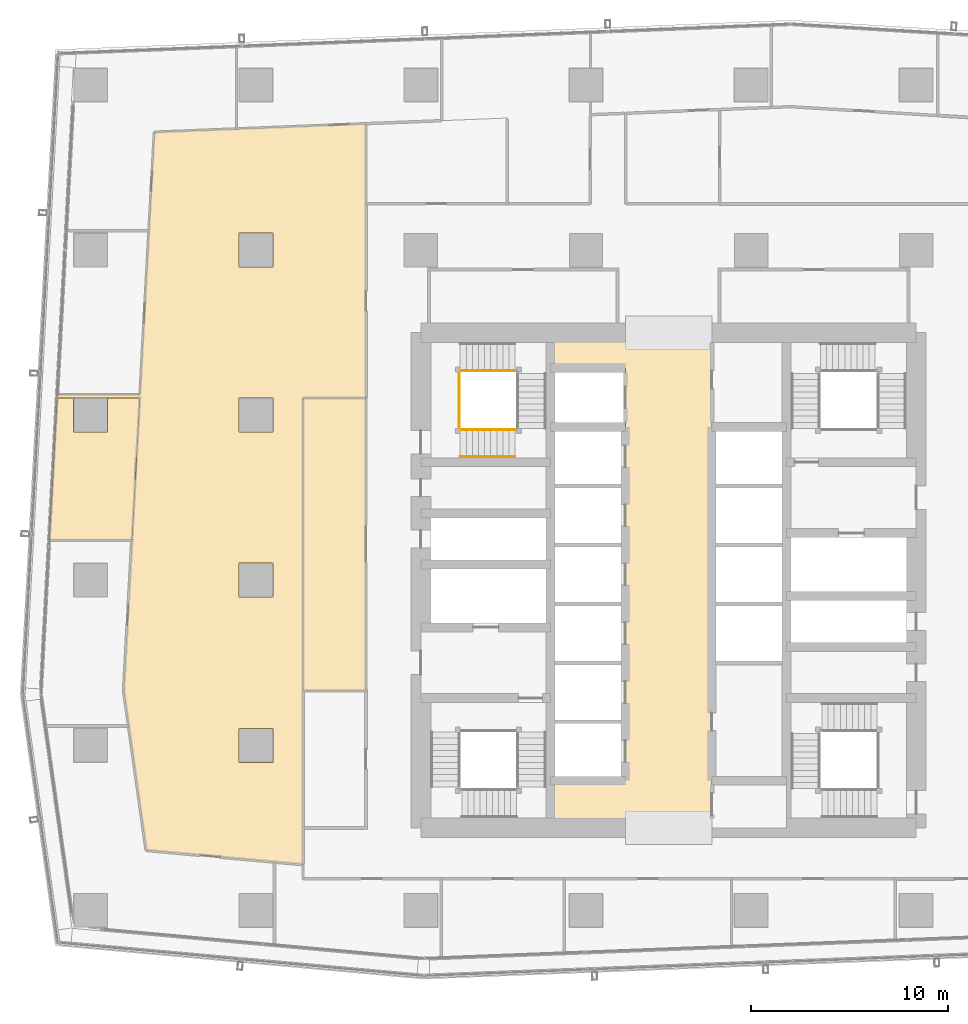
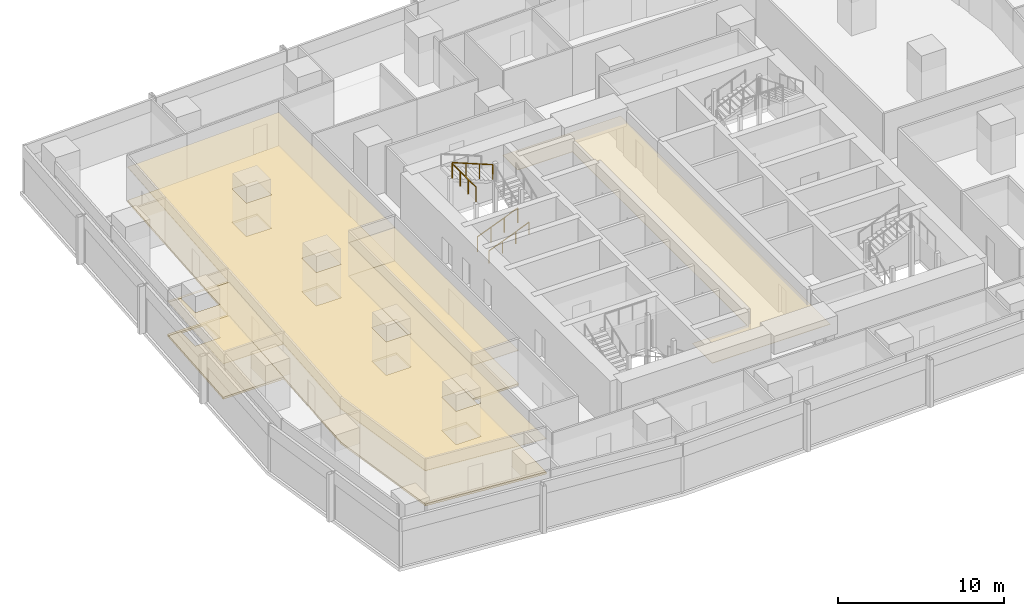
# One storey, part 35 of 40: 7 coverings, 4 railings.
"""IFC4 building model written with IfcOpenShell, lengths in metres."""

from ifc_helpers import new_model, si_unit, direction, frame, origin, origin_2d, place, context, subcontext, project, spatial, polyline, circle, outline, extrude, material, layer, layer_set, type_object, element, save


model = new_model("IFC4")

# Units and contexts
model_context = context("Model", 3, precision=1e-05, world=origin(), true_north=direction((0.0, 1.0)))
body_context = subcontext(model_context, "Body", "Model", "MODEL_VIEW")
ifc_project = project(units=[si_unit("LENGTHUNIT", "METRE"), si_unit("AREAUNIT", "SQUARE_METRE"), si_unit("VOLUMEUNIT", "CUBIC_METRE"), si_unit("PLANEANGLEUNIT", "RADIAN"), si_unit("MASSUNIT", "GRAM", prefix="KILO")], contexts=[model_context])

# Site, building, storey
site_placement = place(None, origin())
site = spatial("IfcSite", under=ifc_project, at=site_placement, CompositionType="ELEMENT")
building_placement = place(site_placement, origin())
building = spatial("IfcBuilding", under=site, at=building_placement, Name="Rekha Terrace Tower", CompositionType="ELEMENT")
storey_placement = place(building_placement, frame((0.0, 0.0, 125.300048828125)))
storey = spatial("IfcBuildingStorey", under=building, at=storey_placement, Name="L31", CompositionType="ELEMENT", Elevation=125.300048828125)

# Coverings
ifc_material_1 = material(Name="Mineral fibre tile in exposed grid", Category="finish")
ifc_layer_1 = layer(ifc_material_1, 0.02001953125)
ifc_layer_set_1 = layer_set([ifc_layer_1], Name="Mineral fibre tile in exposed grid")
covering_type_1 = type_object("IfcCoveringType", Name="CL1 600x1200 office grid ceiling", PredefinedType="CEILING", material=ifc_layer_set_1)
covering_1_placement = place(storey_placement, frame((0.0, 0.0, 2.579833984375)))
element("IfcCovering", 1, at=covering_1_placement, inside=storey, type_object=covering_type_1, Name="Ceiling L31-O1c", PredefinedType="CEILING", context=body_context, shape_type="SweptSolid", body=[
    extrude(outline(polyline([(10.080078125, 27.992919921875), (10.3359375, 26.177001953125), (11.22607421875, 19.862060546875), (17.7529296875, 19.26904296875), (19.199951171875, 19.137939453125), (19.199951171875, 42.873046875), (22.39990234375, 42.873046875), (22.39990234375, 56.830078125), (15.799072265625, 56.56494140625), (11.637939453125, 56.39794921875), (11.362060546875, 51.3779296875), (10.905029296875, 43.0458984375), (6.698974609375, 43.0458984375), (6.68994140625, 42.873046875), (10.89599609375, 42.873046875), (10.4990234375, 35.634033203125), (10.080078125, 27.992919921875)]), holes=[polyline([(17.6650390625, 26.06494140625), (17.6650390625, 24.3349609375), (15.93505859375, 24.3349609375), (15.93505859375, 26.06494140625), (17.6650390625, 26.06494140625)]), polyline([(17.6650390625, 34.465087890625), (17.6650390625, 32.735107421875), (15.93505859375, 32.735107421875), (15.93505859375, 34.465087890625), (17.6650390625, 34.465087890625)]), polyline([(17.6650390625, 41.135009765625), (15.93505859375, 41.135009765625), (15.93505859375, 42.864990234375), (17.6650390625, 42.864990234375), (17.6650390625, 41.135009765625)]), polyline([(17.6650390625, 49.534912109375), (15.93505859375, 49.534912109375), (15.93505859375, 51.264892578125), (17.6650390625, 51.264892578125), (17.6650390625, 49.534912109375)])]), origin(), (0.0, 0.0, 1.0), 0.02001953125),
])
covering_2_placement = place(storey_placement, frame((0.0, 0.0, 2.579833984375)))
element("IfcCovering", 2, at=covering_2_placement, inside=storey, type_object=covering_type_1, Name="Ceiling L31-19", PredefinedType="CEILING", context=body_context, shape_type="SweptSolid", body=[
    extrude(outline(polyline([(9.264892578125, 41.135009765625), (7.534912109375, 41.135009765625), (7.534912109375, 42.8720703125), (6.68994140625, 42.8720703125), (6.29296875, 35.635009765625), (10.4990234375, 35.635009765625), (10.89599609375, 42.8720703125), (9.264892578125, 42.8720703125), (9.264892578125, 41.135009765625)])), origin(), (0.0, 0.0, 1.0), 0.02001953125),
])
covering_3_placement = place(storey_placement, frame((0.0, 0.0, 2.579833984375)))
element("IfcCovering", 3, at=covering_3_placement, inside=storey, type_object=covering_type_1, Name="Ceiling L31-25", PredefinedType="CEILING", context=body_context, shape_type="SweptSolid", body=[
    extrude(outline(polyline([(19.199951171875, 42.8720703125), (19.199951171875, 28.0), (22.39990234375, 28.0), (22.39990234375, 42.8720703125), (19.199951171875, 42.8720703125)])), origin(), (0.0, 0.0, 1.0), 0.02001953125),
])
ifc_material_2 = material(Name="Powder-coated aluminium pan", Category="aluminium")
ifc_layer_2 = layer(ifc_material_2, 0.030029296875)
ifc_layer_set_2 = layer_set([ifc_layer_2], Name="Powder-coated aluminium pan")
covering_type_2 = type_object("IfcCoveringType", Name="CL3 300x1200 metal pan ceiling", PredefinedType="CEILING", material=ifc_layer_set_2)
covering_4_placement = place(storey_placement, frame((0.0, 0.0, 2.570068359375)))
element("IfcCovering", 4, at=covering_4_placement, inside=storey, type_object=covering_type_2, Name="Ceiling L31-LOBBY", PredefinedType="CEILING", context=body_context, shape_type="SweptSolid", body=[
    extrude(outline(polyline([(35.60009765625, 44.39990234375), (35.60009765625, 23.39990234375), (31.800048828125, 23.39990234375), (31.800048828125, 21.0), (40.0, 21.0), (40.0, 46.199951171875), (31.800048828125, 46.199951171875), (31.800048828125, 44.39990234375), (35.60009765625, 44.39990234375)])), origin(), (0.0, 0.0, 1.0), 0.02978515625),
])

# Railings
ifc_material_3 = material(Name="Stainless steel balustrade", Category="steel")
railing_type_1 = type_object("IfcRailingType", Name="GR1 1100 stair guard", PredefinedType="GUARDRAIL", material=ifc_material_3)
railing_1_placement = place(storey_placement, frame((27.199951171875, 41.264892578125, 0.125)))
element("IfcRailing", 5, at=railing_1_placement, inside=storey, type_object=railing_type_1, Name="Guard ST4 L31 flight 1", PredefinedType="GUARDRAIL", context=body_context, shape_type="SweptSolid", body=[
    extrude(circle(Radius=0.02392578125, at=origin_2d()), frame((0.0, 0.0, 1.076171875), z_axis=(0.927443287984, 0.0, 0.373963831907), x_axis=(0.0, 1.0, 0.0)), (0.0, 0.0, 1.0), 3.00830078125),
    extrude(circle(Radius=0.02099609375, at=origin_2d()), origin(), (0.0, 0.0, 1.0), 1.052001953125),
    extrude(circle(Radius=0.02099609375, at=origin_2d()), frame((0.929931640625, 0.0, 0.375)), (0.0, 0.0, 1.0), 1.052001953125),
    extrude(circle(Radius=0.02099609375, at=origin_2d()), frame((1.860107421875, 0.0, 0.75)), (0.0, 0.0, 1.0), 1.052001953125),
    extrude(circle(Radius=0.02099609375, at=origin_2d()), frame((2.7900390625, 0.0, 1.125)), (0.0, 0.0, 1.0), 1.052001953125),
])
railing_2_placement = place(storey_placement, frame((29.989990234375, 44.260009765625, 2.625)))
element("IfcRailing", 6, at=railing_2_placement, inside=storey, type_object=railing_type_1, Name="Guard ST4 L31 flight 3", PredefinedType="GUARDRAIL", context=body_context, shape_type="SweptSolid", body=[
    extrude(circle(Radius=0.02392578125, at=origin_2d()), frame((0.0, 0.0, 1.076171875), z_axis=(-0.927443287984, 0.0, 0.373963831907), x_axis=(0.0, -1.0, 0.0)), (0.0, 0.0, 1.0), 3.00830078125),
    extrude(circle(Radius=0.02099609375, at=origin_2d()), origin(), (0.0, 0.0, 1.0), 1.052001953125),
    extrude(circle(Radius=0.02099609375, at=origin_2d()), frame((-0.929931640625, 0.0, 0.375)), (0.0, 0.0, 1.0), 1.052001953125),
    extrude(circle(Radius=0.02099609375, at=origin_2d()), frame((-1.860107421875, 0.0, 0.75)), (0.0, 0.0, 1.0), 1.052001953125),
    extrude(circle(Radius=0.02099609375, at=origin_2d()), frame((-2.7900390625, 0.0, 1.125)), (0.0, 0.0, 1.0), 1.052001953125),
])
railing_3_placement = place(storey_placement, frame((27.139892578125, 41.324951171875, 3.75)))
element("IfcRailing", 7, at=railing_3_placement, inside=storey, type_object=railing_type_1, Name="Guard ST4 L31 landing 4", PredefinedType="GUARDRAIL", context=body_context, shape_type="SweptSolid", body=[
    extrude(circle(Radius=0.02392578125, at=origin_2d()), frame((0.0, 0.0, 1.076171875), z_axis=(0.0, 1.0, 0.0), x_axis=(-1.0, 0.0, 0.0)), (0.0, 0.0, 1.0), 2.875),
    extrude(circle(Radius=0.02099609375, at=origin_2d()), origin(), (0.0, 0.0, 1.0), 1.052001953125),
    extrude(circle(Radius=0.02099609375, at=origin_2d()), frame((0.0, 0.958251953125, 0.0)), (0.0, 0.0, 1.0), 1.052001953125),
    extrude(circle(Radius=0.02099609375, at=origin_2d()), frame((0.0, 1.916748046875, 0.0)), (0.0, 0.0, 1.0), 1.052001953125),
    extrude(circle(Radius=0.02099609375, at=origin_2d()), frame((0.0, 2.875, 0.0)), (0.0, 0.0, 1.0), 1.052001953125),
])
ifc_material_4 = material(Name="Stainless steel tube", Category="steel")
railing_type_2 = type_object("IfcRailingType", Name="HR1 900 stair handrail", PredefinedType="HANDRAIL", material=ifc_material_4)
railing_4_placement = place(storey_placement, frame((27.199951171875, 39.885009765625, 0.125)))
element("IfcRailing", 8, at=railing_4_placement, inside=storey, type_object=railing_type_2, Name="Handrail ST4 L31 flight 1", PredefinedType="HANDRAIL", context=body_context, shape_type="SweptSolid", body=[
    extrude(circle(Radius=0.02392578125, at=origin_2d()), frame((0.0, 0.0, 0.8759765625), z_axis=(0.927443287984, 0.0, 0.373963831907), x_axis=(0.0, 1.0, 0.0)), (0.0, 0.0, 1.0), 3.00830078125),
    extrude(circle(Radius=0.02099609375, at=origin_2d()), origin(), (0.0, 0.0, 1.0), 0.851806640625),
    extrude(circle(Radius=0.02099609375, at=origin_2d()), frame((0.929931640625, 0.0, 0.375)), (0.0, 0.0, 1.0), 0.851806640625),
    extrude(circle(Radius=0.02099609375, at=origin_2d()), frame((1.860107421875, 0.0, 0.75)), (0.0, 0.0, 1.0), 0.851806640625),
    extrude(circle(Radius=0.02099609375, at=origin_2d()), frame((2.7900390625, 0.0, 1.125)), (0.0, 0.0, 1.0), 0.851806640625),
])

# Coverings
ifc_material_5 = material(Name="Calcium sulphate panels on steel pedestals", Category="steel")
ifc_layer_3 = layer(ifc_material_5, 0.14990234375)
ifc_layer_set_3 = layer_set([ifc_layer_3], Name="Calcium sulphate panels on steel pedestals")
covering_type_3 = type_object("IfcCoveringType", Name="RF1 150 raised access floor", PredefinedType="FLOORING", material=ifc_layer_set_3)
covering_5_placement = place(storey_placement, origin())
element("IfcCovering", 9, at=covering_5_placement, inside=storey, type_object=covering_type_3, Name="Raised floor L31-O1c", PredefinedType="FLOORING", context=body_context, shape_type="SweptSolid", body=[
    extrude(outline(polyline([(10.080078125, 27.992919921875), (10.3359375, 26.177001953125), (11.22607421875, 19.862060546875), (17.7529296875, 19.26904296875), (19.199951171875, 19.137939453125), (19.199951171875, 42.873046875), (22.39990234375, 42.873046875), (22.39990234375, 56.830078125), (15.799072265625, 56.56494140625), (11.637939453125, 56.39794921875), (11.362060546875, 51.3779296875), (10.905029296875, 43.0458984375), (6.698974609375, 43.0458984375), (6.68994140625, 42.873046875), (10.89599609375, 42.873046875), (10.4990234375, 35.634033203125), (10.080078125, 27.992919921875)]), holes=[polyline([(17.6650390625, 26.06494140625), (17.6650390625, 24.3349609375), (15.93505859375, 24.3349609375), (15.93505859375, 26.06494140625), (17.6650390625, 26.06494140625)]), polyline([(17.6650390625, 34.465087890625), (17.6650390625, 32.735107421875), (15.93505859375, 32.735107421875), (15.93505859375, 34.465087890625), (17.6650390625, 34.465087890625)]), polyline([(17.6650390625, 41.135009765625), (15.93505859375, 41.135009765625), (15.93505859375, 42.864990234375), (17.6650390625, 42.864990234375), (17.6650390625, 41.135009765625)]), polyline([(17.6650390625, 49.534912109375), (15.93505859375, 49.534912109375), (15.93505859375, 51.264892578125), (17.6650390625, 51.264892578125), (17.6650390625, 49.534912109375)])]), origin(), (0.0, 0.0, 1.0), 0.14990234375),
])
covering_6_placement = place(storey_placement, origin())
element("IfcCovering", 10, at=covering_6_placement, inside=storey, type_object=covering_type_3, Name="Raised floor L31-19", PredefinedType="FLOORING", context=body_context, shape_type="SweptSolid", body=[
    extrude(outline(polyline([(9.264892578125, 41.135009765625), (7.534912109375, 41.135009765625), (7.534912109375, 42.8720703125), (6.68994140625, 42.8720703125), (6.29296875, 35.635009765625), (10.4990234375, 35.635009765625), (10.89599609375, 42.8720703125), (9.264892578125, 42.8720703125), (9.264892578125, 41.135009765625)])), origin(), (0.0, 0.0, 1.0), 0.14990234375),
])
covering_7_placement = place(storey_placement, origin())
element("IfcCovering", 11, at=covering_7_placement, inside=storey, type_object=covering_type_3, Name="Raised floor L31-25", PredefinedType="FLOORING", context=body_context, shape_type="SweptSolid", body=[
    extrude(outline(polyline([(19.199951171875, 42.8720703125), (19.199951171875, 28.0), (22.39990234375, 28.0), (22.39990234375, 42.8720703125), (19.199951171875, 42.8720703125)])), origin(), (0.0, 0.0, 1.0), 0.14990234375),
])

save(model, "model.ifc")
